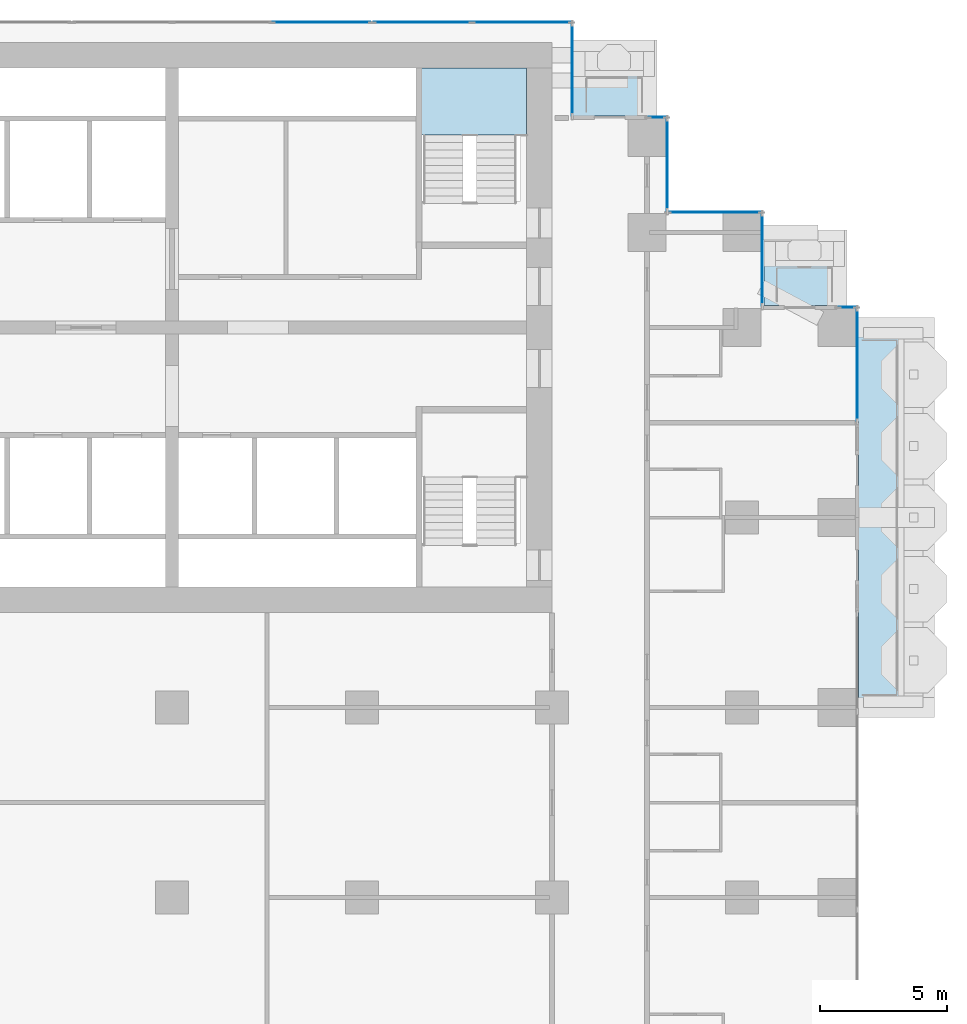
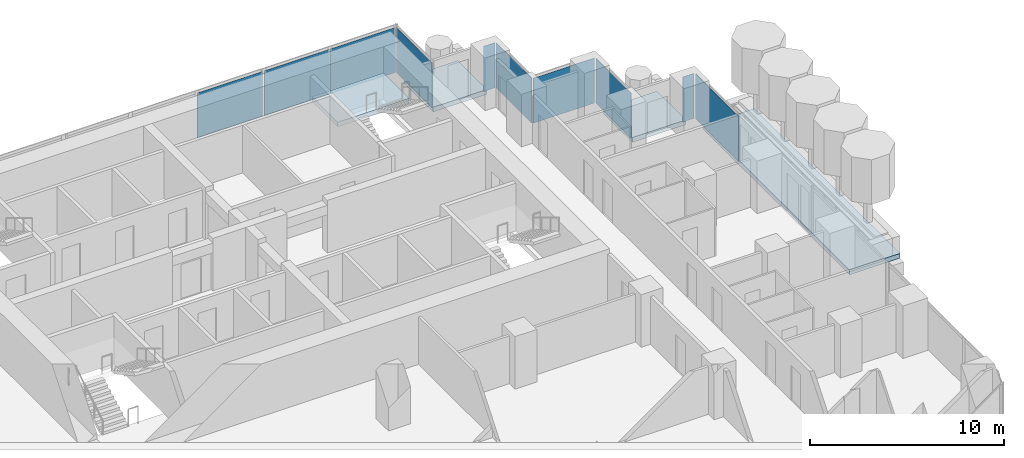
# One storey, part 10 of 20: 10 plates, 4 slabs, 10 elements without a shape of their own.
"""IFC4 building model written with IfcOpenShell, lengths in metres."""

from ifc_helpers import new_model, si_unit, direction, frame, origin, origin_2d, place, context, subcontext, project, spatial, polyline, rectangle, outline, extrude, material, layer, layer_set, type_object, element, aggregate, save


model = new_model("IFC4")

# Units and contexts
model_context = context("Model", 3, precision=1e-05, world=origin(), true_north=direction((0.0, 1.0)))
body_context = subcontext(model_context, "Body", "Model", "MODEL_VIEW")
ifc_project = project(units=[si_unit("LENGTHUNIT", "METRE"), si_unit("AREAUNIT", "SQUARE_METRE"), si_unit("VOLUMEUNIT", "CUBIC_METRE"), si_unit("PLANEANGLEUNIT", "RADIAN"), si_unit("MASSUNIT", "GRAM", prefix="KILO")], contexts=[model_context])

# Site, building, storey
site_placement = place(None, origin())
site = spatial("IfcSite", under=ifc_project, at=site_placement, CompositionType="ELEMENT")
building_placement = place(site_placement, origin())
building = spatial("IfcBuilding", under=site, at=building_placement, Name="Pilkhan Gate Tower", CompositionType="ELEMENT")
storey_placement = place(building_placement, frame((0.0, 0.0, 85.699951171875)))
storey = spatial("IfcBuildingStorey", under=building, at=storey_placement, Name="L20", CompositionType="ELEMENT", Elevation=85.699951171875)

# Slabs
ifc_material_1 = material(Name="Concrete C60/75", Category="concrete")
ifc_layer_1 = layer(ifc_material_1, 0.300048828125)
ifc_layer_set_1 = layer_set([ifc_layer_1], Name="Balcony tray slab TR300")
slab_type_1 = type_object("IfcSlabType", Name="Balcony tray slab TR300", PredefinedType="FLOOR", material=ifc_layer_set_1)
slab_1_placement = place(storey_placement, frame((0.0, 0.0, -0.300048828125)))
element("IfcSlab", 1, at=slab_1_placement, inside=storey, type_object=slab_type_1, Name="Balcony tray L20 E", PredefinedType="FLOOR", context=body_context, shape_type="SweptSolid", body=[
    extrude(outline(polyline([(105.10009765625, 67.5), (105.10009765625, 82.5), (102.10009765625, 82.5), (102.10009765625, 67.5), (105.10009765625, 67.5)])), origin(), (0.0, 0.0, 1.0), 0.300048828125),
])
slab_2_placement = place(storey_placement, frame((0.0, 0.0, -0.300048828125)))
element("IfcSlab", 2, at=slab_2_placement, inside=storey, type_object=slab_type_1, Name="Balcony tray L20 N", PredefinedType="FLOOR", context=body_context, shape_type="SweptSolid", body=[
    extrude(outline(polyline([(94.050048828125, 90.85009765625), (94.050048828125, 93.85009765625), (90.85009765625, 93.85009765625), (90.85009765625, 90.85009765625), (94.050048828125, 90.85009765625)])), origin(), (0.0, 0.0, 1.0), 0.300048828125),
])
slab_3_placement = place(storey_placement, frame((0.0, 0.0, -0.300048828125)))
element("IfcSlab", 3, at=slab_3_placement, inside=storey, type_object=slab_type_1, Name="Balcony tray L20 N", PredefinedType="FLOOR", context=body_context, shape_type="SweptSolid", body=[
    extrude(outline(polyline([(101.550048828125, 83.3701171875), (101.550048828125, 86.35009765625), (98.3701171875, 86.35009765625), (98.3701171875, 83.3701171875), (101.550048828125, 83.3701171875)])), origin(), (0.0, 0.0, 1.0), 0.300048828125),
])

# Curtain wall, plate
ifc_material_2 = material(Name="Pale anodised aluminium, clear low-iron double glazing", Category="aluminium")
curtain_wall_type = type_object("IfcCurtainWallType", Name="Hotel unitised curtain wall CW-H", PredefinedType="USERDEFINED", material=ifc_material_2)
curtain_wall_1_placement = place(storey_placement, origin())
curtain_wall_1 = element("IfcCurtainWall", 4, at=curtain_wall_1_placement, inside=storey, type_object=curtain_wall_type, Name="Hotel unitised curtain wall CW-H L20 E", ObjectType="UNITISED CURTAIN WALL", PredefinedType="USERDEFINED")
ifc_material_3 = material(Name="Clear low-iron double glazing", Category="glass")
ifc_layer_2 = layer(ifc_material_3, 0.035888671875)
ifc_layer_set_2 = layer_set([ifc_layer_2], Name="Glass panel CW-H 36")
plate_type = type_object("IfcPlateType", Name="Glass panel CW-H 36", PredefinedType="CURTAIN_PANEL", material=ifc_layer_set_2)
plate_1_placement = place(storey_placement, frame((102.044921875, 81.0224609375, 0.0), z_axis=(0.0, 0.0, 1.0), x_axis=(0.0, 1.0, 0.0)))
plate_1 = element("IfcPlate", 5, at=plate_1_placement, type_object=plate_type, Name="CW-H panel 1", PredefinedType="CURTAIN_PANEL", context=body_context, shape_type="SweptSolid", body=[
    extrude(rectangle(XDim=4.4150390625, YDim=0.035888671875, at=origin_2d()), origin(), (0.0, 0.0, 1.0), 2.820068359375),
])
aggregate(curtain_wall_1, [plate_1])

curtain_wall_2_placement = place(storey_placement, origin())
curtain_wall_2 = element("IfcCurtainWall", 6, at=curtain_wall_2_placement, inside=storey, type_object=curtain_wall_type, Name="Hotel unitised curtain wall CW-H L20 N", ObjectType="UNITISED CURTAIN WALL", PredefinedType="USERDEFINED")
plate_2_placement = place(storey_placement, frame((101.6474609375, 83.294921875, 0.0), z_axis=(0.0, 0.0, 1.0), x_axis=(1.0, 0.0, 0.0)))
plate_2 = element("IfcPlate", 7, at=plate_2_placement, type_object=plate_type, Name="CW-H panel 1", PredefinedType="CURTAIN_PANEL", context=body_context, shape_type="SweptSolid", body=[
    extrude(rectangle(XDim=0.6650390625, YDim=0.035888671875, at=origin_2d()), origin(), (0.0, 0.0, 1.0), 2.820068359375),
])
aggregate(curtain_wall_2, [plate_2])

curtain_wall_3_placement = place(storey_placement, origin())
curtain_wall_3 = element("IfcCurtainWall", 8, at=curtain_wall_3_placement, inside=storey, type_object=curtain_wall_type, Name="Hotel unitised curtain wall CW-H L20 E", ObjectType="UNITISED CURTAIN WALL", PredefinedType="USERDEFINED")
plate_3_placement = place(storey_placement, frame((98.294921875, 85.169921875, 0.0), z_axis=(0.0, 0.0, 1.0), x_axis=(0.0, 1.0, 0.0)))
plate_3 = element("IfcPlate", 9, at=plate_3_placement, type_object=plate_type, Name="CW-H panel 1", PredefinedType="CURTAIN_PANEL", context=body_context, shape_type="SweptSolid", body=[
    extrude(rectangle(XDim=3.6201171875, YDim=0.035888671875, at=origin_2d()), origin(), (0.0, 0.0, 1.0), 2.820068359375),
])
aggregate(curtain_wall_3, [plate_3])

curtain_wall_4_placement = place(storey_placement, origin())
curtain_wall_4 = element("IfcCurtainWall", 10, at=curtain_wall_4_placement, inside=storey, type_object=curtain_wall_type, Name="Hotel unitised curtain wall CW-H L20 N", ObjectType="UNITISED CURTAIN WALL", PredefinedType="USERDEFINED")
plate_4_placement = place(storey_placement, frame((96.419921875, 87.044921875, 0.0), z_axis=(0.0, 0.0, 1.0), x_axis=(1.0, 0.0, 0.0)))
plate_4 = element("IfcPlate", 11, at=plate_4_placement, type_object=plate_type, Name="CW-H panel 1", PredefinedType="CURTAIN_PANEL", context=body_context, shape_type="SweptSolid", body=[
    extrude(rectangle(XDim=3.6201171875, YDim=0.035888671875, at=origin_2d()), origin(), (0.0, 0.0, 1.0), 2.820068359375),
])
aggregate(curtain_wall_4, [plate_4])

curtain_wall_5_placement = place(storey_placement, origin())
curtain_wall_5 = element("IfcCurtainWall", 12, at=curtain_wall_5_placement, inside=storey, type_object=curtain_wall_type, Name="Hotel unitised curtain wall CW-H L20 E", ObjectType="UNITISED CURTAIN WALL", PredefinedType="USERDEFINED")
plate_5_placement = place(storey_placement, frame((94.544921875, 88.919921875, 0.0), z_axis=(0.0, 0.0, 1.0), x_axis=(0.0, 1.0, 0.0)))
plate_5 = element("IfcPlate", 13, at=plate_5_placement, type_object=plate_type, Name="CW-H panel 1", PredefinedType="CURTAIN_PANEL", context=body_context, shape_type="SweptSolid", body=[
    extrude(rectangle(XDim=3.6201171875, YDim=0.035888671875, at=origin_2d()), origin(), (0.0, 0.0, 1.0), 2.820068359375),
])
aggregate(curtain_wall_5, [plate_5])

curtain_wall_6_placement = place(storey_placement, origin())
curtain_wall_6 = element("IfcCurtainWall", 14, at=curtain_wall_6_placement, inside=storey, type_object=curtain_wall_type, Name="Hotel unitised curtain wall CW-H L20 N", ObjectType="UNITISED CURTAIN WALL", PredefinedType="USERDEFINED")
plate_6_placement = place(storey_placement, frame((94.1474609375, 90.794921875, 0.0), z_axis=(0.0, 0.0, 1.0), x_axis=(1.0, 0.0, 0.0)))
plate_6 = element("IfcPlate", 15, at=plate_6_placement, type_object=plate_type, Name="CW-H panel 1", PredefinedType="CURTAIN_PANEL", context=body_context, shape_type="SweptSolid", body=[
    extrude(rectangle(XDim=0.6650390625, YDim=0.035888671875, at=origin_2d()), origin(), (0.0, 0.0, 1.0), 2.820068359375),
])
aggregate(curtain_wall_6, [plate_6])

curtain_wall_7_placement = place(storey_placement, origin())
curtain_wall_7 = element("IfcCurtainWall", 16, at=curtain_wall_7_placement, inside=storey, type_object=curtain_wall_type, Name="Hotel unitised curtain wall CW-H L20 E", ObjectType="UNITISED CURTAIN WALL", PredefinedType="USERDEFINED")
plate_7_placement = place(storey_placement, frame((90.794921875, 92.669921875, 0.0), z_axis=(0.0, 0.0, 1.0), x_axis=(0.0, 1.0, 0.0)))
plate_7 = element("IfcPlate", 17, at=plate_7_placement, type_object=plate_type, Name="CW-H panel 1", PredefinedType="CURTAIN_PANEL", context=body_context, shape_type="SweptSolid", body=[
    extrude(rectangle(XDim=3.6201171875, YDim=0.035888671875, at=origin_2d()), origin(), (0.0, 0.0, 1.0), 2.820068359375),
])
aggregate(curtain_wall_7, [plate_7])

curtain_wall_8_placement = place(storey_placement, origin())
curtain_wall_8 = element("IfcCurtainWall", 18, at=curtain_wall_8_placement, inside=storey, type_object=curtain_wall_type, Name="Hotel unitised curtain wall CW-H L20 N", ObjectType="UNITISED CURTAIN WALL", PredefinedType="USERDEFINED")
plate_8_placement = place(storey_placement, frame((80.906982421875, 94.544921875, 0.0), z_axis=(0.0, 0.0, 1.0), x_axis=(1.0, 0.0, 0.0)))
plate_8 = element("IfcPlate", 19, at=plate_8_placement, type_object=plate_type, Name="CW-H panel 3", PredefinedType="CURTAIN_PANEL", context=body_context, shape_type="SweptSolid", body=[
    extrude(rectangle(XDim=3.851318359375, YDim=0.035888671875, at=origin_2d()), origin(), (0.0, 0.0, 1.0), 2.820068359375),
])
aggregate(curtain_wall_8, [plate_8])

# Curtain wall, plates
curtain_wall_9_placement = place(storey_placement, origin())
curtain_wall_9 = element("IfcCurtainWall", 20, at=curtain_wall_9_placement, inside=storey, type_object=curtain_wall_type, Name="Hotel unitised curtain wall CW-H L20 N", ObjectType="UNITISED CURTAIN WALL", PredefinedType="USERDEFINED")
plate_9_placement = place(storey_placement, frame((84.88818359375, 94.544921875, 0.0), z_axis=(0.0, 0.0, 1.0), x_axis=(1.0, 0.0, 0.0)))
plate_9 = element("IfcPlate", 21, at=plate_9_placement, type_object=plate_type, Name="CW-H panel 1", PredefinedType="CURTAIN_PANEL", context=body_context, shape_type="SweptSolid", body=[
    extrude(rectangle(XDim=3.851318359375, YDim=0.035888671875, at=origin_2d()), origin(), (0.0, 0.0, 1.0), 2.820068359375),
])
plate_10_placement = place(storey_placement, frame((88.804443359375, 94.544921875, 0.0), z_axis=(0.0, 0.0, 1.0), x_axis=(1.0, 0.0, 0.0)))
plate_10 = element("IfcPlate", 22, at=plate_10_placement, type_object=plate_type, Name="CW-H panel 2", PredefinedType="CURTAIN_PANEL", context=body_context, shape_type="SweptSolid", body=[
    extrude(rectangle(XDim=3.851318359375, YDim=0.035888671875, at=origin_2d()), origin(), (0.0, 0.0, 1.0), 2.820068359375),
])
aggregate(curtain_wall_9, [plate_9, plate_10])

# Stair, slab
ifc_material_4 = material(Name="Concrete C40/50 precast", Category="concrete")
stair_type = type_object("IfcStairType", Name="Stair ST4 165x300", PredefinedType="HALF_TURN_STAIR", material=ifc_material_4)
stair_placement = place(storey_placement, origin())
stair = element("IfcStair", 23, at=stair_placement, inside=storey, type_object=stair_type, Name="Stair ST4 L20", PredefinedType="HALF_TURN_STAIR")
ifc_material_5 = material(Name="Concrete C40/50", Category="concrete")
ifc_layer_3 = layer(ifc_material_5, 0.199951171875)
ifc_layer_set_3 = layer_set([ifc_layer_3], Name="Stair landing SL200")
slab_type_2 = type_object("IfcSlabType", Name="Stair landing SL200", PredefinedType="LANDING", material=ifc_layer_set_3)
slab_4_placement = place(storey_placement, frame((0.0, 0.0, 1.35009765625)))
slab_4 = element("IfcSlab", 24, at=slab_4_placement, type_object=slab_type_2, Name="ST4 landing 1", PredefinedType="LANDING", context=body_context, shape_type="SweptSolid", body=[
    extrude(outline(polyline([(89.0, 90.10009765625), (89.0, 92.75), (84.75, 92.75), (84.75, 90.10009765625), (89.0, 90.10009765625)])), origin(), (0.0, 0.0, 1.0), 0.300048828125),
])
aggregate(stair, [slab_4])

save(model, "model.ifc")
